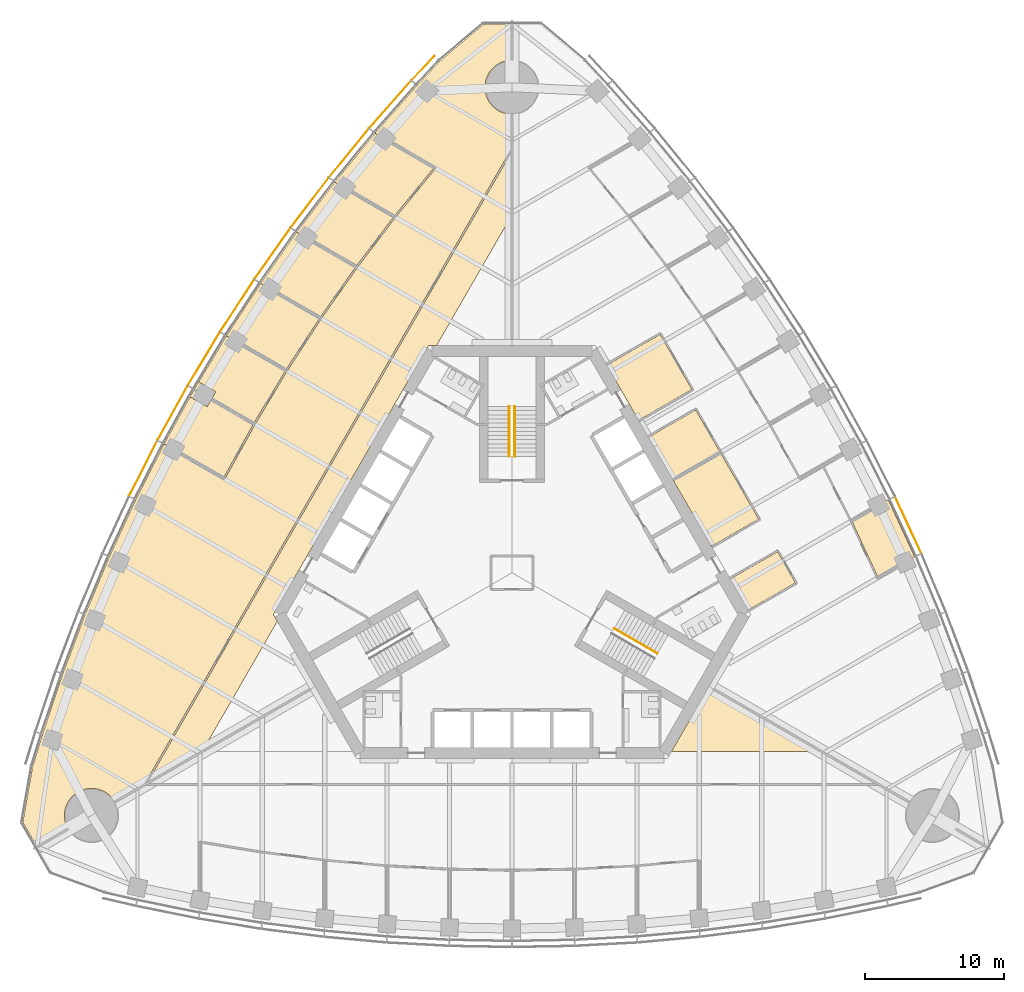
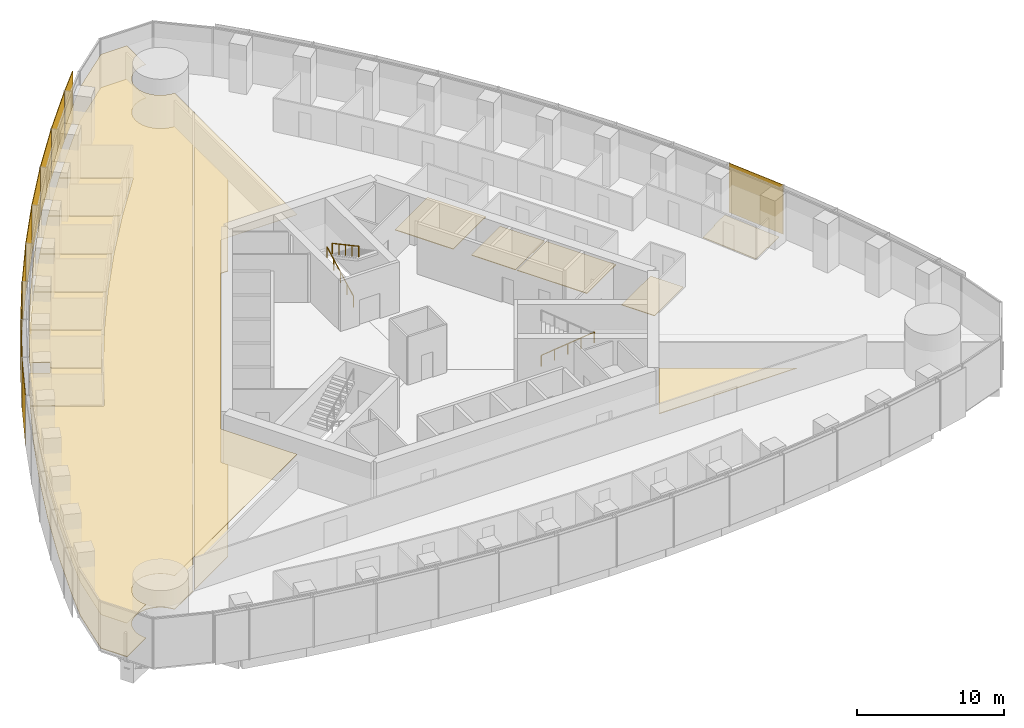
# One storey, part 18 of 21: 15 coverings, 10 shading devices, 3 railings.
"""IFC4 building model written with IfcOpenShell, lengths in metres."""

import ifcopenshell
import ifcopenshell.guid

model = None  # the IFC model being written
_history = None  # IfcOwnerHistory: only IFC2X3 demands one
_inside = {}  # id of a spatial element -> (the spatial element, [elements in it])
_under = {}  # id of a project, library or spatial element -> (it, [spatial elements below it])
_declared = {}  # id of a project -> (the project, [libraries it declares])
_typed = {}  # id of a type object -> (the type object, [elements of that type])
_made_of = {}  # id of a material, layer set ... -> (it, [elements and type objects made of it])


def new_model(schema):
    """Start an empty IFC model of exactly this schema.

    Asked for "IFC4X3", IfcOpenShell would pick the latest addendum, in which some entities
    have other attributes; the version numbers below select the first issue.
    IFC2X3 requires an IfcOwnerHistory on every rooted entity: one is made here for all.
    """
    global model, _history
    if schema == "IFC4X3":
        model = ifcopenshell.file(schema_version=(4, 3, 0, 0))
    else:
        model = ifcopenshell.file(schema=schema)
    _inside.clear()
    _under.clear()
    _declared.clear()
    _typed.clear()
    _made_of.clear()
    _history = None
    if model.schema == "IFC2X3":
        org = make("IfcOrganization", Name="unknown")
        user = make(
            "IfcPersonAndOrganization",
            ThePerson=make("IfcPerson", FamilyName="unknown"),
            TheOrganization=org,
        )
        app = make(
            "IfcApplication",
            ApplicationDeveloper=org,
            Version="unknown",
            ApplicationFullName="unknown",
            ApplicationIdentifier="unknown",
        )
        _history = make(
            "IfcOwnerHistory",
            OwningUser=user,
            OwningApplication=app,
            ChangeAction="ADDED",
            CreationDate=0,
        )
    return model


def make(cls, **values):
    """One entity of the class cls with the attributes given. An attribute that is None is left unset."""
    return model.create_entity(
        cls, **{name: value for name, value in values.items() if value is not None}
    )


def rooted(cls, **values):
    """An entity with a GlobalId (a new one), such as an element, a storey or a relation."""
    return make(cls, GlobalId=ifcopenshell.guid.new(), OwnerHistory=_history, **values)


def si_unit(unit_type, name, prefix=None):
    """IfcSIUnit, for example si_unit("LENGTHUNIT", "METRE", prefix="MILLI")."""
    return make("IfcSIUnit", UnitType=unit_type, Prefix=prefix, Name=name)


def assignment(units):
    """IfcUnitAssignment: the units of a project."""
    return None if units is None else make("IfcUnitAssignment", Units=units)


def point(xyz):
    """IfcCartesianPoint."""
    return None if xyz is None else make("IfcCartesianPoint", Coordinates=xyz)


def direction(xyz):
    """IfcDirection."""
    return None if xyz is None else make("IfcDirection", DirectionRatios=xyz)


def frame(location, z_axis=None, x_axis=None):
    """IfcAxis2Placement3D, a coordinate frame: its origin and axes. An axis left out is left unset."""
    return make(
        "IfcAxis2Placement3D",
        Location=point(location),
        Axis=direction(z_axis),
        RefDirection=direction(x_axis),
    )


def frame_2d(location, x_axis=None):
    """IfcAxis2Placement2D, a coordinate frame in the plane: its origin and x axis."""
    return make(
        "IfcAxis2Placement2D", Location=point(location), RefDirection=direction(x_axis)
    )


def origin():
    """The frame at (0, 0, 0) with its axes left unset."""
    return frame((0.0, 0.0, 0.0))


def origin_2d():
    """The frame at (0, 0) in the plane with its x axis left unset."""
    return frame_2d((0.0, 0.0))


def place(relative_to, where):
    """IfcLocalPlacement: puts the frame where relative to a parent placement (None: the world)."""
    return make(
        "IfcLocalPlacement", PlacementRelTo=relative_to, RelativePlacement=where
    )


def context(
    kind, dimensions, precision=None, world=None, true_north=None, identifier=None
):
    """IfcGeometricRepresentationContext, for example the 3D "Model" context."""
    return make(
        "IfcGeometricRepresentationContext",
        ContextIdentifier=identifier,
        ContextType=kind,
        CoordinateSpaceDimension=dimensions,
        Precision=precision,
        WorldCoordinateSystem=world,
        TrueNorth=true_north,
    )


def subcontext(parent, identifier, kind, view, scale=None):
    """IfcGeometricRepresentationSubContext, for example "Body" below "Model"."""
    return make(
        "IfcGeometricRepresentationSubContext",
        ContextIdentifier=identifier,
        ContextType=kind,
        ParentContext=parent,
        TargetScale=scale,
        TargetView=view,
    )


def project(units=None, contexts=None):
    """IfcProject with its units and contexts."""
    return rooted(
        "IfcProject",
        Name="project",
        RepresentationContexts=contexts,
        UnitsInContext=assignment(units),
    )


def spatial(cls, under=None, at=None, **own):
    """A site, building, storey or space (cls), placed at a placement, below another one or the project."""
    s = rooted(cls, ObjectPlacement=at, **own)
    if under is not None:
        _under.setdefault(under.id(), (under, []))[1].append(s)
    return s


def polyline(points):
    """IfcPolyline through the points."""
    return make("IfcPolyline", Points=[point(p) for p in points])


def profile(cls, at=None, kind="AREA", **sizes):
    """A parametric profile (cls). Its sizes go by their IFC names, for example OverallWidth=200.0."""
    return make(cls, ProfileType=kind, Position=at, **sizes)


def rectangle(**sizes):
    """IfcRectangleProfileDef."""
    return profile("IfcRectangleProfileDef", **sizes)


def circle(**sizes):
    """IfcCircleProfileDef."""
    return profile("IfcCircleProfileDef", **sizes)


def outline(outer, holes=None, kind="AREA"):
    """IfcArbitraryClosedProfileDef: a profile drawn as a closed curve; with holes, ...WithVoids."""
    if holes is None:
        return make("IfcArbitraryClosedProfileDef", ProfileType=kind, OuterCurve=outer)
    return make(
        "IfcArbitraryProfileDefWithVoids",
        ProfileType=kind,
        OuterCurve=outer,
        InnerCurves=holes,
    )


def extrude(swept, where, along, depth):
    """IfcExtrudedAreaSolid: the profile swept, set in the frame where, extruded along a direction by depth."""
    return make(
        "IfcExtrudedAreaSolid",
        SweptArea=swept,
        Position=where,
        ExtrudedDirection=direction(along),
        Depth=depth,
    )


def shape(context_of_items, identifier, shape_type, items):
    """IfcShapeRepresentation: the items that make up one representation, for example the "Body"."""
    return make(
        "IfcShapeRepresentation",
        ContextOfItems=context_of_items,
        RepresentationIdentifier=identifier,
        RepresentationType=shape_type,
        Items=items,
    )


def material(Name=None, Category=None):
    """IfcMaterial."""
    return make("IfcMaterial", Name=Name, Category=Category)


def layer(
    of_material, thickness, ventilated=None, Name=None, Category=None, Priority=None
):
    """IfcMaterialLayer: one layer of a wall or slab, of a material (None: an air gap)."""
    return make(
        "IfcMaterialLayer",
        Material=of_material,
        LayerThickness=thickness,
        IsVentilated=ventilated,
        Name=Name,
        Category=Category,
        Priority=Priority,
    )


def layer_set(layers, Name=None):
    """IfcMaterialLayerSet."""
    return make("IfcMaterialLayerSet", MaterialLayers=layers, LayerSetName=Name)


def made_of(thing, what):
    """Note that an element or type object is made of a material, layer set ...; save() writes the relation."""
    if what is not None:
        _made_of.setdefault(what.id(), (what, []))[1].append(thing)
    return thing


def type_object(cls, material=None, **own):
    """A type object (cls), such as IfcWallType, which elements share."""
    return made_of(rooted(cls, **own), material)


def element(
    cls,
    number,
    at=None,
    inside=None,
    cuts=None,
    type_object=None,
    material=None,
    context=None,
    identifier="Body",
    shape_type=None,
    held_by="IfcProductDefinitionShape",
    body=None,
    shapes=None,
    **own,
):
    """One element of the class cls, such as IfcWall. Its Tag is "e" and its number.

    at: its placement. inside: the storey or other place that contains it. cuts: it is an
    opening in that element (IfcRelVoidsElement). A single representation is given by context,
    identifier, shape_type and body (its items); several are given by shapes. held_by: the class
    of the entity that holds the representations. save() writes the other relations.
    """
    e = rooted(cls, Tag="e%d" % number, ObjectPlacement=at, **own)
    if body is not None:
        shapes = [shape(context, identifier, shape_type, body)]
    if shapes is not None:
        e.Representation = make(held_by, Representations=shapes)
    if inside is not None:
        _inside.setdefault(inside.id(), (inside, []))[1].append(e)
    if cuts is not None:
        rooted(
            "IfcRelVoidsElement", RelatingBuildingElement=cuts, RelatedOpeningElement=e
        )
    if type_object is not None:
        _typed.setdefault(type_object.id(), (type_object, []))[1].append(e)
    return made_of(e, material)


def aggregate(whole, parts):
    """IfcRelAggregates: a whole, such as a stair, and the parts it consists of."""
    return rooted("IfcRelAggregates", RelatingObject=whole, RelatedObjects=parts)


def save(model, path):
    """Write the relations noted so far, then the file.

    IfcRelAggregates (storeys below a building ...), IfcRelContainedInSpatialStructure (elements
    in a storey), IfcRelDefinesByType, IfcRelAssociatesMaterial and IfcRelDeclares: one each for
    every whole, place, type object, material and project.
    """
    for whole, parts in _under.values():
        aggregate(whole, parts)
    for where, things in _inside.values():
        rooted(
            "IfcRelContainedInSpatialStructure",
            RelatedElements=things,
            RelatingStructure=where,
        )
    for kind, things in _typed.values():
        rooted("IfcRelDefinesByType", RelatedObjects=things, RelatingType=kind)
    for what, things in _made_of.values():
        rooted("IfcRelAssociatesMaterial", RelatedObjects=things, RelatingMaterial=what)
    for by, libraries in _declared.values():
        rooted("IfcRelDeclares", RelatingContext=by, RelatedDefinitions=libraries)
    model.write(path)


model = new_model("IFC4")

# Units and contexts
model_context = context("Model", 3, precision=1e-05, world=origin(), true_north=direction((0.0, 1.0)))
body_context = subcontext(model_context, "Body", "Model", "MODEL_VIEW")
ifc_project = project(units=[si_unit("LENGTHUNIT", "METRE"), si_unit("AREAUNIT", "SQUARE_METRE"), si_unit("VOLUMEUNIT", "CUBIC_METRE"), si_unit("PLANEANGLEUNIT", "RADIAN"), si_unit("MASSUNIT", "GRAM", prefix="KILO")], contexts=[model_context])

# Site, building, storey
site_placement = place(None, origin())
site = spatial("IfcSite", under=ifc_project, at=site_placement, CompositionType="ELEMENT")
building_placement = place(site_placement, origin())
building = spatial("IfcBuilding", under=site, at=building_placement, Name="Trefoil Bronze Tower", CompositionType="ELEMENT")
storey_placement = place(building_placement, frame((0.0, 0.0, 153.5)))
storey = spatial("IfcBuildingStorey", under=building, at=storey_placement, Name="L35", CompositionType="ELEMENT", Elevation=153.5)

# Shading devices
ifc_material_1 = material(Name="Perforated bronze sheet", Category="bronze")
ifc_layer_1 = layer(ifc_material_1, 0.0400390625)
ifc_layer_set_1 = layer_set([ifc_layer_1], Name="Bronze solar screen panel")
shading_device_type = type_object("IfcShadingDeviceType", Name="Bronze solar screen panel", PredefinedType="SHUTTER", material=ifc_layer_set_1)
shading_device_1_placement = place(storey_placement, frame((28.563720703125, 3.444580078125, 0.050048828125), z_axis=(0.0, 0.0, 1.0), x_axis=(-0.419932995871, 0.907555110712, 0.0)))
element("IfcShadingDevice", 1, at=shading_device_1_placement, inside=storey, type_object=shading_device_type, Name="Solar screen CW-A L35 F2 bay 5", PredefinedType="SHUTTER", context=body_context, shape_type="SweptSolid", body=[
    extrude(rectangle(XDim=4.48828125, YDim=0.0400390625, at=origin_2d()), origin(), (0.0, 0.0, 1.0), 4.10009765625),
])
shading_device_2_placement = place(storey_placement, frame((-6.416748046875, 36.383544921875, 0.050048828125), z_axis=(0.0, 0.0, 1.0), x_axis=(-0.682535770759, -0.730852188636, 0.0)))
element("IfcShadingDevice", 2, at=shading_device_2_placement, inside=storey, type_object=shading_device_type, Name="Solar screen CW-A L35 F3 bay 1", PredefinedType="SHUTTER", context=body_context, shape_type="SweptSolid", body=[
    extrude(rectangle(XDim=2.39013671875, YDim=0.0400390625, at=origin_2d()), origin(), (0.0, 0.0, 1.0), 4.10009765625),
])
shading_device_3_placement = place(storey_placement, frame((-8.77197265625, 33.766845703125, 0.050048828125), z_axis=(0.0, 0.0, 1.0), x_axis=(-0.661751405978, -0.749723333428, 0.0)))
element("IfcShadingDevice", 3, at=shading_device_3_placement, inside=storey, type_object=shading_device_type, Name="Solar screen CW-A L35 F3 bay 2", PredefinedType="SHUTTER", context=body_context, shape_type="SweptSolid", body=[
    extrude(rectangle(XDim=4.56103515625, YDim=0.0400390625, at=origin_2d()), origin(), (0.0, 0.0, 1.0), 4.10009765625),
])
shading_device_4_placement = place(storey_placement, frame((-11.7490234375, 30.26708984375, 0.050048828125), z_axis=(0.0, 0.0, 1.0), x_axis=(-0.633839916024, -0.773464259584, 0.0)))
element("IfcShadingDevice", 4, at=shading_device_4_placement, inside=storey, type_object=shading_device_type, Name="Solar screen CW-A L35 F3 bay 3", PredefinedType="SHUTTER", context=body_context, shape_type="SweptSolid", body=[
    extrude(rectangle(XDim=4.5302734375, YDim=0.0400390625, at=origin_2d()), origin(), (0.0, 0.0, 1.0), 4.10009765625),
])
shading_device_5_placement = place(storey_placement, frame((-14.579345703125, 26.6826171875, 0.050048828125), z_axis=(0.0, 0.0, 1.0), x_axis=(-0.605252319983, -0.796033685943, 0.0)))
element("IfcShadingDevice", 5, at=shading_device_5_placement, inside=storey, type_object=shading_device_type, Name="Solar screen CW-A L35 F3 bay 4", PredefinedType="SHUTTER", context=body_context, shape_type="SweptSolid", body=[
    extrude(rectangle(XDim=4.50634765625, YDim=0.0400390625, at=origin_2d()), origin(), (0.0, 0.0, 1.0), 4.10009765625),
])
shading_device_6_placement = place(storey_placement, frame((-17.264892578125, 23.014404296875, 0.050048828125), z_axis=(0.0, 0.0, 1.0), x_axis=(-0.575999283275, -0.817450197667, 0.0)))
element("IfcShadingDevice", 6, at=shading_device_6_placement, inside=storey, type_object=shading_device_type, Name="Solar screen CW-A L35 F3 bay 5", PredefinedType="SHUTTER", context=body_context, shape_type="SweptSolid", body=[
    extrude(rectangle(XDim=4.48828125, YDim=0.0400390625, at=origin_2d()), origin(), (0.0, 0.0, 1.0), 4.10009765625),
])
shading_device_7_placement = place(storey_placement, frame((-19.8076171875, 19.263916015625, 0.050048828125), z_axis=(0.0, 0.0, 1.0), x_axis=(-0.546088612237, -0.837727418427, 0.0)))
element("IfcShadingDevice", 7, at=shading_device_7_placement, inside=storey, type_object=shading_device_type, Name="Solar screen CW-A L35 F3 bay 6", PredefinedType="SHUTTER", context=body_context, shape_type="SweptSolid", body=[
    extrude(rectangle(XDim=4.4765625, YDim=0.0400390625, at=origin_2d()), origin(), (0.0, 0.0, 1.0), 4.10009765625),
])
for number, where, z_axis, x_axis, name in (
    (8, (-22.208740234375, 15.431396484375, 0.050048828125), (0.0, 0.0, 1.0), (-0.515525413486, -0.856874289526, 0.0), "Solar screen CW-A L35 F3 bay 7"),
    (9, (-24.468505859375, 11.517578125, 0.050048828125), (0.0, 0.0, 1.0), (-0.484312195836, -0.874895249138, 0.0), "Solar screen CW-A L35 F3 bay 8"),
):
    element("IfcShadingDevice", number, at=place(storey_placement, frame(where, z_axis=z_axis, x_axis=x_axis)), inside=storey, type_object=shading_device_type, Name=name, PredefinedType="SHUTTER", context=body_context, shape_type="SweptSolid", body=[
        extrude(rectangle(XDim=4.470703125, YDim=0.0400390625, at=origin_2d()), origin(), (0.0, 0.0, 1.0), 4.10009765625),
    ])
shading_device_8_placement = place(storey_placement, frame((-26.5869140625, 7.52197265625, 0.050048828125), z_axis=(0.0, 0.0, 1.0), x_axis=(-0.452448919686, -0.891790320128, 0.0)))
element("IfcShadingDevice", 10, at=shading_device_8_placement, inside=storey, type_object=shading_device_type, Name="Solar screen CW-A L35 F3 bay 9", PredefinedType="SHUTTER", context=body_context, shape_type="SweptSolid", body=[
    extrude(rectangle(XDim=4.4765625, YDim=0.0400390625, at=origin_2d()), origin(), (0.0, 0.0, 1.0), 4.10009765625),
])

# Railings
ifc_material_2 = material(Name="Steel handrail", Category="steel")
railing_type = type_object("IfcRailingType", Name="Handrail 900", PredefinedType="HANDRAIL", material=ifc_material_2)
railing_1_placement = place(storey_placement, frame((7.365966796875, -4.021728515625, 0.16162109375)))
element("IfcRailing", 11, at=railing_1_placement, inside=storey, type_object=railing_type, Name="Handrail ST1 flight 1 L35", PredefinedType="HANDRAIL", context=body_context, shape_type="SweptSolid", body=[
    extrude(circle(Radius=0.02392578125, at=origin_2d()), frame((0.0, 0.0, 0.8759765625), z_axis=(0.76250339821, -0.440245697338, 0.474101564745), x_axis=(0.500012057535, 0.866018442252, 0.0)), (0.0, 0.0, 1.0), 4.088623046875),
    extrude(circle(Radius=0.02099609375, at=origin_2d()), origin(), (0.0, 0.0, 1.0), 0.851806640625),
    extrude(circle(Radius=0.02099609375, at=origin_2d()), frame((0.779296875, -0.449951171875, 0.484619140625)), (0.0, 0.0, 1.0), 0.851806640625),
    extrude(circle(Radius=0.02099609375, at=origin_2d()), frame((1.558837890625, -0.89990234375, 0.96923828125)), (0.0, 0.0, 1.0), 0.851806640625),
    extrude(circle(Radius=0.02099609375, at=origin_2d()), frame((2.33837890625, -1.35009765625, 1.453857421875)), (0.0, 0.0, 1.0), 0.851806640625),
    extrude(circle(Radius=0.02099609375, at=origin_2d()), frame((3.11767578125, -1.800048828125, 1.9384765625)), (0.0, 0.0, 1.0), 0.851806640625),
])
railing_2_placement = place(storey_placement, frame((-0.199951171875, 8.389892578125, 0.16162109375)))
element("IfcRailing", 12, at=railing_2_placement, inside=storey, type_object=railing_type, Name="Handrail ST2 flight 1 L35", PredefinedType="HANDRAIL", context=body_context, shape_type="SweptSolid", body=[
    extrude(circle(Radius=0.02392578125, at=origin_2d()), frame((0.0, 0.0, 0.8759765625), z_axis=(0.0, 0.880474934443, 0.474092701714), x_axis=(-1.0, 0.0, 0.0)), (0.0, 0.0, 1.0), 4.0888671875),
    extrude(circle(Radius=0.02099609375, at=origin_2d()), origin(), (0.0, 0.0, 1.0), 0.851806640625),
    extrude(circle(Radius=0.02099609375, at=origin_2d()), frame((0.0, 0.89990234375, 0.484619140625)), (0.0, 0.0, 1.0), 0.851806640625),
    extrude(circle(Radius=0.02099609375, at=origin_2d()), frame((0.0, 1.800048828125, 0.96923828125)), (0.0, 0.0, 1.0), 0.851806640625),
    extrude(circle(Radius=0.02099609375, at=origin_2d()), frame((0.0, 2.7001953125, 1.453857421875)), (0.0, 0.0, 1.0), 0.851806640625),
    extrude(circle(Radius=0.02099609375, at=origin_2d()), frame((0.0, 3.60009765625, 1.9384765625)), (0.0, 0.0, 1.0), 0.851806640625),
])
railing_3_placement = place(storey_placement, frame((0.199951171875, 11.989990234375, 2.261474609375)))
element("IfcRailing", 13, at=railing_3_placement, inside=storey, type_object=railing_type, Name="Handrail ST2 flight 2 L35", PredefinedType="HANDRAIL", context=body_context, shape_type="SweptSolid", body=[
    extrude(circle(Radius=0.02392578125, at=origin_2d()), frame((0.0, 0.0, 0.8759765625), z_axis=(0.0, -0.880474934443, 0.474092701714), x_axis=(1.0, 0.0, 0.0)), (0.0, 0.0, 1.0), 4.0888671875),
    extrude(circle(Radius=0.02099609375, at=origin_2d()), origin(), (0.0, 0.0, 1.0), 0.851806640625),
    extrude(circle(Radius=0.02099609375, at=origin_2d()), frame((0.0, -0.89990234375, 0.484619140625)), (0.0, 0.0, 1.0), 0.851806640625),
    extrude(circle(Radius=0.02099609375, at=origin_2d()), frame((0.0, -1.800048828125, 0.96923828125)), (0.0, 0.0, 1.0), 0.851806640625),
    extrude(circle(Radius=0.02099609375, at=origin_2d()), frame((0.0, -2.7001953125, 1.453857421875)), (0.0, 0.0, 1.0), 0.851806640625),
    extrude(circle(Radius=0.02099609375, at=origin_2d()), frame((0.0, -3.60009765625, 1.9384765625)), (0.0, 0.0, 1.0), 0.851806640625),
])

# Coverings
ifc_material_3 = material(Name="Acoustic ceiling panels", Category="mineral fibre")
ifc_layer_2 = layer(ifc_material_3, 0.02001953125)
ifc_layer_set_2 = layer_set([ifc_layer_2], Name="Office ceiling 20")
covering_type_1 = type_object("IfcCoveringType", Name="Office ceiling 20", PredefinedType="CEILING", material=ifc_layer_set_2)
covering_1_placement = place(storey_placement, frame((0.0, 0.0, 2.89990234375)))
element("IfcCovering", 14, at=covering_1_placement, inside=storey, type_object=covering_type_1, Name="Ceiling L35 Open-plan office F3", PredefinedType="CEILING", context=body_context, shape_type="SweptSolid", body=[
    extrude(outline(polyline([(-33.847900390625, -11.634765625), (-32.385986328125, -7.28271484375), (-30.776611328125, -3.015625), (-29.022216796875, 1.16748046875), (-27.124755859375, 5.268310546875), (-25.085693359375, 9.287109375), (-22.906005859375, 13.224853515625), (-20.585693359375, 17.081298828125), (-18.124755859375, 20.856689453125), (-15.522216796875, 24.55029296875), (-12.776611328125, 28.1611328125), (-9.885986328125, 31.6884765625), (-6.847900390625, 35.130615234375), (-5.1962890625, 36.8994140625), (-2.052001953125, 39.53759765625), (-0.014892578125, 39.53759765625), (-0.013916015625, 36.94970703125), (-0.095703125, 36.94775390625), (-0.191162109375, 36.940673828125), (-0.2861328125, 36.928955078125), (-0.38037109375, 36.91259765625), (-0.473876953125, 36.8916015625), (-0.566162109375, 36.865966796875), (-0.656982421875, 36.8359375), (-0.74609375, 36.801513671875), (-0.833740234375, 36.7626953125), (-0.919189453125, 36.7197265625), (-1.00244140625, 36.672607421875), (-1.08349609375, 36.621337890625), (-1.16162109375, 36.56640625), (-1.237060546875, 36.50732421875), (-1.3095703125, 36.44482421875), (-1.37890625, 36.37890625), (-1.44482421875, 36.3095703125), (-1.50732421875, 36.237060546875), (-1.56640625, 36.16162109375), (-1.621337890625, 36.08349609375), (-1.672607421875, 36.00244140625), (-1.7197265625, 35.919189453125), (-1.7626953125, 35.833740234375), (-1.801513671875, 35.74609375), (-1.8359375, 35.656982421875), (-1.865966796875, 35.566162109375), (-1.8916015625, 35.473876953125), (-1.91259765625, 35.38037109375), (-1.928955078125, 35.2861328125), (-1.940673828125, 35.191162109375), (-1.94775390625, 35.095703125), (-1.949951171875, 35.0), (-1.94775390625, 34.904296875), (-1.940673828125, 34.808837890625), (-1.928955078125, 34.7138671875), (-1.91259765625, 34.61962890625), (-1.8916015625, 34.526123046875), (-1.865966796875, 34.433837890625), (-1.8359375, 34.343017578125), (-1.801513671875, 34.25390625), (-1.7626953125, 34.166259765625), (-1.7197265625, 34.080810546875), (-1.672607421875, 33.99755859375), (-1.621337890625, 33.91650390625), (-1.56640625, 33.83837890625), (-1.50732421875, 33.762939453125), (-1.44482421875, 33.6904296875), (-1.37890625, 33.62109375), (-1.3095703125, 33.55517578125), (-1.237060546875, 33.49267578125), (-1.16162109375, 33.43359375), (-1.08349609375, 33.378662109375), (-1.00244140625, 33.327392578125), (-0.919189453125, 33.2802734375), (-0.833740234375, 33.2373046875), (-0.74609375, 33.198486328125), (-0.656982421875, 33.1640625), (-0.566162109375, 33.134033203125), (-0.473876953125, 33.1083984375), (-0.38037109375, 33.08740234375), (-0.2861328125, 33.071044921875), (-0.191162109375, 33.059326171875), (-0.095703125, 33.05224609375), (-0.012451171875, 33.05029296875), (-0.006103515625, 16.39990234375), (-6.00439453125, 16.39990234375), (-17.205078125, -3.0), (-14.205810546875, -8.194580078125), (-28.628662109375, -16.514404296875), (-28.689453125, -16.41650390625), (-28.74462890625, -16.33837890625), (-28.803466796875, -16.262939453125), (-28.865966796875, -16.1904296875), (-28.931884765625, -16.12109375), (-29.001220703125, -16.05517578125), (-29.07373046875, -15.99267578125), (-29.1494140625, -15.93359375), (-29.2275390625, -15.878662109375), (-29.308349609375, -15.827392578125), (-29.3916015625, -15.7802734375), (-29.477294921875, -15.7373046875), (-29.564697265625, -15.698486328125), (-29.654052734375, -15.6640625), (-29.744873046875, -15.634033203125), (-29.837158203125, -15.6083984375), (-29.930419921875, -15.58740234375), (-30.02490234375, -15.571044921875), (-30.119873046875, -15.559326171875), (-30.215087890625, -15.55224609375), (-30.310791015625, -15.550048828125), (-30.406494140625, -15.55224609375), (-30.501953125, -15.559326171875), (-30.596923828125, -15.571044921875), (-30.69140625, -15.58740234375), (-30.78466796875, -15.6083984375), (-30.876953125, -15.634033203125), (-30.9677734375, -15.6640625), (-31.05712890625, -15.698486328125), (-31.14453125, -15.7373046875), (-31.22998046875, -15.7802734375), (-31.3134765625, -15.827392578125), (-31.394287109375, -15.878662109375), (-31.472412109375, -15.93359375), (-31.548095703125, -15.99267578125), (-31.620361328125, -16.05517578125), (-31.689697265625, -16.12109375), (-31.755615234375, -16.1904296875), (-31.818359375, -16.262939453125), (-31.877197265625, -16.33837890625), (-31.932373046875, -16.41650390625), (-31.9833984375, -16.49755859375), (-32.030517578125, -16.580810546875), (-32.07373046875, -16.666259765625), (-32.112548828125, -16.75390625), (-32.14697265625, -16.843017578125), (-32.177001953125, -16.933837890625), (-32.202392578125, -17.026123046875), (-32.223388671875, -17.11962890625), (-32.23974609375, -17.2138671875), (-32.25146484375, -17.308837890625), (-32.258544921875, -17.404296875), (-32.260986328125, -17.5), (-32.258544921875, -17.595703125), (-32.25146484375, -17.691162109375), (-32.23974609375, -17.7861328125), (-32.223388671875, -17.88037109375), (-32.202392578125, -17.973876953125), (-32.177001953125, -18.066162109375), (-32.14697265625, -18.156982421875), (-32.112548828125, -18.24609375), (-32.07373046875, -18.333740234375), (-32.030517578125, -18.419189453125), (-32.006103515625, -18.462646484375), (-34.247802734375, -19.755859375), (-35.2666015625, -17.99169921875), (-34.5537109375, -13.94970703125), (-33.847900390625, -11.634765625)])), origin(), (0.0, 0.0, 1.0), 0.02001953125),
])
ifc_material_4 = material(Name="Raised access floor panels", Category="steel")
ifc_layer_3 = layer(ifc_material_4, 0.050048828125)
ifc_layer_set_3 = layer_set([ifc_layer_3], Name="Raised access floor 150")
covering_type_2 = type_object("IfcCoveringType", Name="Raised access floor 150", PredefinedType="FLOORING", material=ifc_layer_set_3)
covering_2_placement = place(storey_placement, frame((0.0, 0.0, 0.10009765625)))
element("IfcCovering", 15, at=covering_2_placement, inside=storey, type_object=covering_type_2, Name="Raised floor L35 Open-plan office F1", PredefinedType="FLOORING", context=body_context, shape_type="SweptSolid", body=[
    extrude(outline(polyline([(14.19970703125, -8.205322265625), (22.32421875, -12.89990234375), (11.4892578125, -12.89990234375), (14.19970703125, -8.205322265625)])), origin(), (0.0, 0.0, 1.0), 0.0498046875),
])
covering_3_placement = place(storey_placement, frame((0.0, 0.0, 0.10009765625)))
element("IfcCovering", 16, at=covering_3_placement, inside=storey, type_object=covering_type_2, Name="Raised floor L35 Reception F2", PredefinedType="FLOORING", context=body_context, shape_type="SweptSolid", body=[
    extrude(outline(polyline([(6.834716796875, 14.9619140625), (10.679931640625, 17.181884765625), (12.969970703125, 13.215576171875), (9.124755859375, 10.99560546875), (6.834716796875, 14.9619140625)])), origin(), (0.0, 0.0, 1.0), 0.0498046875),
])
covering_4_placement = place(storey_placement, frame((0.0, 0.0, 0.10009765625)))
element("IfcCovering", 17, at=covering_4_placement, inside=storey, type_object=covering_type_2, Name="Raised floor L35 Meeting room F2", PredefinedType="FLOORING", context=body_context, shape_type="SweptSolid", body=[
    extrude(outline(polyline([(11.634765625, 6.64794921875), (15.046875, 8.617919921875), (17.786865234375, 3.872314453125), (14.374755859375, 1.902099609375), (11.634765625, 6.64794921875)])), origin(), (0.0, 0.0, 1.0), 0.0498046875),
])
covering_5_placement = place(storey_placement, frame((0.0, 0.0, 0.10009765625)))
element("IfcCovering", 18, at=covering_5_placement, inside=storey, type_object=covering_type_2, Name="Raised floor L35 Meeting room F2", PredefinedType="FLOORING", context=body_context, shape_type="SweptSolid", body=[
    extrude(outline(polyline([(9.834716796875, 9.765625), (13.246826171875, 11.735595703125), (14.98681640625, 8.721923828125), (11.57470703125, 6.751953125), (9.834716796875, 9.765625)])), origin(), (0.0, 0.0, 1.0), 0.0498046875),
])
covering_6_placement = place(storey_placement, frame((0.0, 0.0, 0.10009765625)))
element("IfcCovering", 19, at=covering_6_placement, inside=storey, type_object=covering_type_2, Name="Raised floor L35 Pantry F2", PredefinedType="FLOORING", context=body_context, shape_type="SweptSolid", body=[
    extrude(outline(polyline([(15.734619140625, -0.453369140625), (19.14697265625, 1.5166015625), (20.43701171875, -0.7177734375), (17.024658203125, -2.687744140625), (15.734619140625, -0.453369140625)])), origin(), (0.0, 0.0, 1.0), 0.0498046875),
])
covering_7_placement = place(storey_placement, frame((0.0, 0.0, 0.10009765625)))
element("IfcCovering", 20, at=covering_7_placement, inside=storey, type_object=covering_type_2, Name="Raised floor L35 Comms room F2", PredefinedType="FLOORING", context=body_context, shape_type="SweptSolid", body=[
    extrude(outline(polyline([(27.7548828125, 0.435791015625), (27.724853515625, 0.48779296875), (26.364501953125, -0.297607421875), (24.517578125, 3.693603515625), (25.8916015625, 4.48681640625), (25.861572265625, 4.538818359375), (27.124755859375, 5.268310546875), (29.022216796875, 1.16748046875), (27.7548828125, 0.435791015625)])), origin(), (0.0, 0.0, 1.0), 0.0498046875),
])
covering_8_placement = place(storey_placement, frame((0.0, 0.0, 0.10009765625)))
element("IfcCovering", 21, at=covering_8_placement, inside=storey, type_object=covering_type_2, Name="Raised floor L35 Office F3", PredefinedType="FLOORING", context=body_context, shape_type="SweptSolid", body=[
    extrude(outline(polyline([(-8.605224609375, 30.948974609375), (-8.63525390625, 30.89697265625), (-5.647216796875, 29.171875), (-8.460693359375, 25.73876953125), (-11.473388671875, 27.47802734375), (-11.50341796875, 27.426025390625), (-12.776611328125, 28.1611328125), (-9.885986328125, 31.6884765625), (-8.605224609375, 30.948974609375)])), origin(), (0.0, 0.0, 1.0), 0.0498046875),
])
covering_9_placement = place(storey_placement, frame((0.0, 0.0, 0.10009765625)))
element("IfcCovering", 22, at=covering_9_placement, inside=storey, type_object=covering_type_2, Name="Raised floor L35 Office F3", PredefinedType="FLOORING", context=body_context, shape_type="SweptSolid", body=[
    extrude(outline(polyline([(-11.50341796875, 27.426025390625), (-11.533447265625, 27.3740234375), (-8.53564453125, 25.643310546875), (-11.2080078125, 22.128662109375), (-14.224853515625, 23.870361328125), (-14.2548828125, 23.818603515625), (-15.522216796875, 24.55029296875), (-12.776611328125, 28.1611328125), (-11.50341796875, 27.426025390625)])), origin(), (0.0, 0.0, 1.0), 0.0498046875),
])
covering_10_placement = place(storey_placement, frame((0.0, 0.0, 0.10009765625)))
element("IfcCovering", 23, at=covering_10_placement, inside=storey, type_object=covering_type_2, Name="Raised floor L35 Office F3", PredefinedType="FLOORING", context=body_context, shape_type="SweptSolid", body=[
    extrude(outline(polyline([(-18.124755859375, 20.856689453125), (-15.522216796875, 24.55029296875), (-14.2548828125, 23.818603515625), (-14.284912109375, 23.7666015625), (-11.279052734375, 22.031005859375), (-13.812255859375, 18.43603515625), (-16.83154296875, 20.17919921875), (-16.861572265625, 20.127197265625), (-18.124755859375, 20.856689453125)])), origin(), (0.0, 0.0, 1.0), 0.0498046875),
])
covering_11_placement = place(storey_placement, frame((0.0, 0.0, 0.10009765625)))
element("IfcCovering", 24, at=covering_11_placement, inside=storey, type_object=covering_type_2, Name="Raised floor L35 Office F3", PredefinedType="FLOORING", context=body_context, shape_type="SweptSolid", body=[
    extrude(outline(polyline([(-20.585693359375, 17.081298828125), (-18.124755859375, 20.856689453125), (-16.861572265625, 20.127197265625), (-16.8916015625, 20.0751953125), (-13.879638671875, 18.33642578125), (-16.27490234375, 14.661865234375), (-19.294921875, 16.405517578125), (-19.324951171875, 16.353515625), (-20.585693359375, 17.081298828125)])), origin(), (0.0, 0.0, 1.0), 0.0498046875),
])
covering_12_placement = place(storey_placement, frame((0.0, 0.0, 0.10009765625)))
element("IfcCovering", 25, at=covering_12_placement, inside=storey, type_object=covering_type_2, Name="Raised floor L35 Meeting room F3", PredefinedType="FLOORING", context=body_context, shape_type="SweptSolid", body=[
    extrude(outline(polyline([(-19.324951171875, 16.353515625), (-19.35498046875, 16.301513671875), (-16.338623046875, 14.56005859375), (-18.596923828125, 10.806396484375), (-21.615966796875, 12.54931640625), (-21.64599609375, 12.497314453125), (-21.671142578125, 12.51171875), (-21.358154296875, 13.053955078125), (-22.583251953125, 13.76123046875), (-20.585693359375, 17.081298828125), (-19.324951171875, 16.353515625)])), origin(), (0.0, 0.0, 1.0), 0.0498046875),
])
covering_13_placement = place(storey_placement, frame((0.0, 0.0, 0.10009765625)))
element("IfcCovering", 26, at=covering_13_placement, inside=storey, type_object=covering_type_2, Name="Raised floor L35 Meeting room F3", PredefinedType="FLOORING", context=body_context, shape_type="SweptSolid", body=[
    extrude(outline(polyline([(-21.64599609375, 12.497314453125), (-21.676025390625, 12.4453125), (-18.656982421875, 10.702392578125), (-20.778564453125, 6.86962890625), (-23.794921875, 8.611083984375), (-23.824951171875, 8.55908203125), (-25.085693359375, 9.287109375), (-23.209228515625, 12.677001953125), (-21.984130859375, 11.9697265625), (-21.671142578125, 12.51171875), (-21.64599609375, 12.497314453125)])), origin(), (0.0, 0.0, 1.0), 0.0498046875),
])
covering_14_placement = place(storey_placement, frame((0.0, 0.0, 0.10009765625)))
element("IfcCovering", 27, at=covering_14_placement, inside=storey, type_object=covering_type_2, Name="Raised floor L35 Corridor F3", PredefinedType="FLOORING", context=body_context, shape_type="SweptSolid", body=[
    extrude(outline(polyline([(-26.31591796875, -15.180419921875), (-0.011474609375, 30.38037109375), (-0.009765625, 25.783203125), (-5.427001953125, 16.39990234375), (-6.00439453125, 16.39990234375), (-17.205078125, -3.0), (-16.91650390625, -3.5), (-22.333740234375, -12.88330078125), (-26.31591796875, -15.180419921875)])), origin(), (0.0, 0.0, 1.0), 0.0498046875),
])
covering_15_placement = place(storey_placement, frame((0.0, 0.0, 0.10009765625)))
element("IfcCovering", 28, at=covering_15_placement, inside=storey, type_object=covering_type_2, Name="Raised floor L35 Open-plan office F3", PredefinedType="FLOORING", context=body_context, shape_type="SweptSolid", body=[
    extrude(outline(polyline([(-29.022216796875, 1.16748046875), (-27.124755859375, 5.268310546875), (-25.085693359375, 9.287109375), (-23.824951171875, 8.55908203125), (-23.85498046875, 8.507080078125), (-20.78564453125, 6.735107421875), (-20.755615234375, 6.787109375), (-20.703125, 6.758056640625), (-18.52392578125, 10.69482421875), (-16.204833984375, 14.549560546875), (-13.7451171875, 18.322998046875), (-11.143798828125, 22.014892578125), (-8.3994140625, 25.6240234375), (-5.509521484375, 29.150390625), (-5.555908203125, 29.1884765625), (-5.52587890625, 29.240478515625), (-8.5751953125, 31.0009765625), (-8.605224609375, 30.948974609375), (-9.885986328125, 31.6884765625), (-6.847900390625, 35.130615234375), (-5.1962890625, 36.8994140625), (-2.052001953125, 39.53759765625), (-0.014892578125, 39.53759765625), (-0.013916015625, 36.94970703125), (-0.095703125, 36.94775390625), (-0.191162109375, 36.940673828125), (-0.2861328125, 36.928955078125), (-0.38037109375, 36.91259765625), (-0.473876953125, 36.8916015625), (-0.566162109375, 36.865966796875), (-0.656982421875, 36.8359375), (-0.74609375, 36.801513671875), (-0.833740234375, 36.7626953125), (-0.919189453125, 36.7197265625), (-1.00244140625, 36.672607421875), (-1.08349609375, 36.621337890625), (-1.16162109375, 36.56640625), (-1.237060546875, 36.50732421875), (-1.3095703125, 36.44482421875), (-1.37890625, 36.37890625), (-1.44482421875, 36.3095703125), (-1.50732421875, 36.237060546875), (-1.56640625, 36.16162109375), (-1.621337890625, 36.08349609375), (-1.672607421875, 36.00244140625), (-1.7197265625, 35.919189453125), (-1.7626953125, 35.833740234375), (-1.801513671875, 35.74609375), (-1.8359375, 35.656982421875), (-1.865966796875, 35.566162109375), (-1.8916015625, 35.473876953125), (-1.91259765625, 35.38037109375), (-1.928955078125, 35.2861328125), (-1.940673828125, 35.191162109375), (-1.94775390625, 35.095703125), (-1.949951171875, 35.0), (-1.94775390625, 34.904296875), (-1.940673828125, 34.808837890625), (-1.928955078125, 34.7138671875), (-1.91259765625, 34.61962890625), (-1.8916015625, 34.526123046875), (-1.865966796875, 34.433837890625), (-1.8359375, 34.343017578125), (-1.801513671875, 34.25390625), (-1.7626953125, 34.166259765625), (-1.7197265625, 34.080810546875), (-1.672607421875, 33.99755859375), (-1.621337890625, 33.91650390625), (-1.56640625, 33.83837890625), (-1.50732421875, 33.762939453125), (-1.44482421875, 33.6904296875), (-1.37890625, 33.62109375), (-1.3095703125, 33.55517578125), (-1.237060546875, 33.49267578125), (-1.16162109375, 33.43359375), (-1.08349609375, 33.378662109375), (-1.00244140625, 33.327392578125), (-0.919189453125, 33.2802734375), (-0.833740234375, 33.2373046875), (-0.74609375, 33.198486328125), (-0.656982421875, 33.1640625), (-0.566162109375, 33.134033203125), (-0.473876953125, 33.1083984375), (-0.38037109375, 33.08740234375), (-0.2861328125, 33.071044921875), (-0.191162109375, 33.059326171875), (-0.095703125, 33.05224609375), (-0.012451171875, 33.05029296875), (-0.011474609375, 30.488525390625), (-0.068359375, 30.521484375), (-26.466552734375, -15.201416015625), (-26.40966796875, -15.234375), (-28.628662109375, -16.514404296875), (-28.689453125, -16.41650390625), (-28.74462890625, -16.33837890625), (-28.803466796875, -16.262939453125), (-28.865966796875, -16.1904296875), (-28.931884765625, -16.12109375), (-29.001220703125, -16.05517578125), (-29.07373046875, -15.99267578125), (-29.1494140625, -15.93359375), (-29.2275390625, -15.878662109375), (-29.308349609375, -15.827392578125), (-29.3916015625, -15.7802734375), (-29.477294921875, -15.7373046875), (-29.564697265625, -15.698486328125), (-29.654052734375, -15.6640625), (-29.744873046875, -15.634033203125), (-29.837158203125, -15.6083984375), (-29.930419921875, -15.58740234375), (-30.02490234375, -15.571044921875), (-30.119873046875, -15.559326171875), (-30.215087890625, -15.55224609375), (-30.310791015625, -15.550048828125), (-30.406494140625, -15.55224609375), (-30.501953125, -15.559326171875), (-30.596923828125, -15.571044921875), (-30.69140625, -15.58740234375), (-30.78466796875, -15.6083984375), (-30.876953125, -15.634033203125), (-30.9677734375, -15.6640625), (-31.05712890625, -15.698486328125), (-31.14453125, -15.7373046875), (-31.22998046875, -15.7802734375), (-31.3134765625, -15.827392578125), (-31.394287109375, -15.878662109375), (-31.472412109375, -15.93359375), (-31.548095703125, -15.99267578125), (-31.620361328125, -16.05517578125), (-31.689697265625, -16.12109375), (-31.755615234375, -16.1904296875), (-31.818359375, -16.262939453125), (-31.877197265625, -16.33837890625), (-31.932373046875, -16.41650390625), (-31.9833984375, -16.49755859375), (-32.030517578125, -16.580810546875), (-32.07373046875, -16.666259765625), (-32.112548828125, -16.75390625), (-32.14697265625, -16.843017578125), (-32.177001953125, -16.933837890625), (-32.202392578125, -17.026123046875), (-32.223388671875, -17.11962890625), (-32.23974609375, -17.2138671875), (-32.25146484375, -17.308837890625), (-32.258544921875, -17.404296875), (-32.260986328125, -17.5), (-32.258544921875, -17.595703125), (-32.25146484375, -17.691162109375), (-32.23974609375, -17.7861328125), (-32.223388671875, -17.88037109375), (-32.202392578125, -17.973876953125), (-32.177001953125, -18.066162109375), (-32.14697265625, -18.156982421875), (-32.112548828125, -18.24609375), (-32.07373046875, -18.333740234375), (-32.030517578125, -18.419189453125), (-32.006103515625, -18.462646484375), (-34.247802734375, -19.755859375), (-35.2666015625, -17.99169921875), (-34.5537109375, -13.94970703125), (-33.847900390625, -11.634765625), (-32.385986328125, -7.28271484375), (-30.776611328125, -3.015625), (-29.022216796875, 1.16748046875)])), origin(), (0.0, 0.0, 1.0), 0.0498046875),
])

save(model, "model.ifc")
